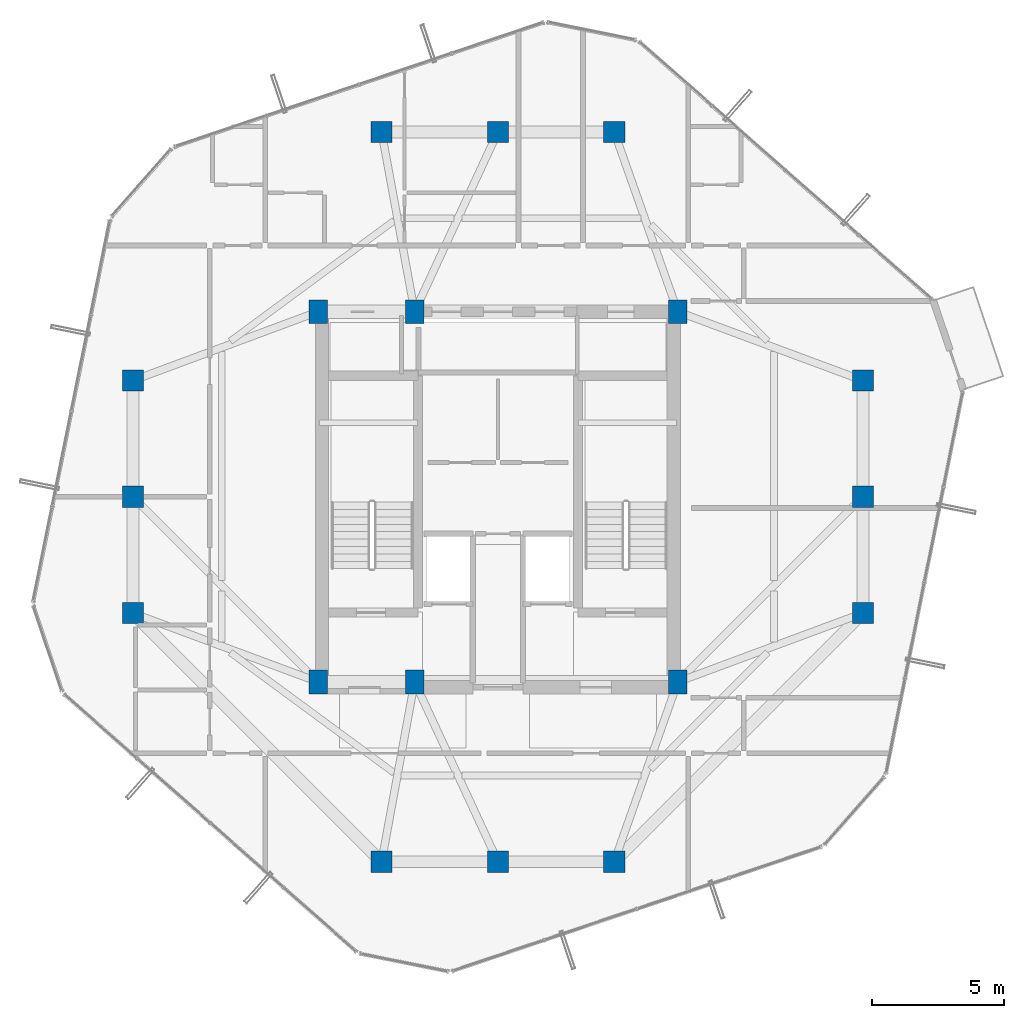
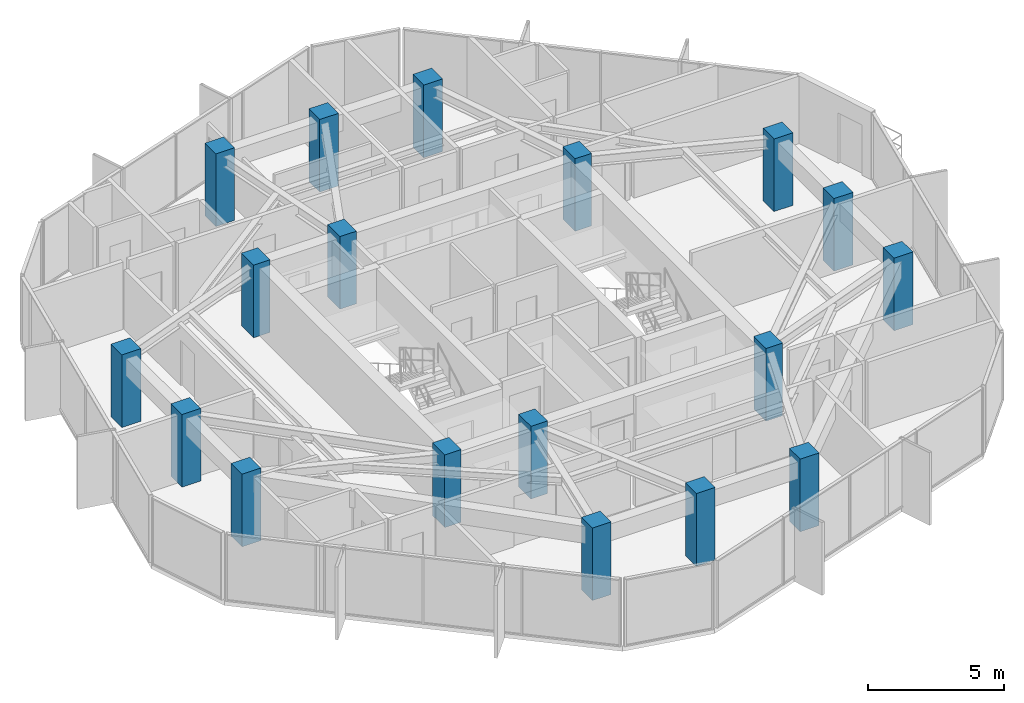
# One storey, part 1 of 28: 18 columns.
"""IFC4 building model written with IfcOpenShell, lengths in metres."""

import ifcopenshell
import ifcopenshell.guid

model = None  # the IFC model being written
_history = None  # IfcOwnerHistory: only IFC2X3 demands one
_inside = {}  # id of a spatial element -> (the spatial element, [elements in it])
_under = {}  # id of a project, library or spatial element -> (it, [spatial elements below it])
_declared = {}  # id of a project -> (the project, [libraries it declares])
_typed = {}  # id of a type object -> (the type object, [elements of that type])
_made_of = {}  # id of a material, layer set ... -> (it, [elements and type objects made of it])


def new_model(schema):
    """Start an empty IFC model of exactly this schema.

    Asked for "IFC4X3", IfcOpenShell would pick the latest addendum, in which some entities
    have other attributes; the version numbers below select the first issue.
    IFC2X3 requires an IfcOwnerHistory on every rooted entity: one is made here for all.
    """
    global model, _history
    if schema == "IFC4X3":
        model = ifcopenshell.file(schema_version=(4, 3, 0, 0))
    else:
        model = ifcopenshell.file(schema=schema)
    _inside.clear()
    _under.clear()
    _declared.clear()
    _typed.clear()
    _made_of.clear()
    _history = None
    if model.schema == "IFC2X3":
        org = make("IfcOrganization", Name="unknown")
        user = make(
            "IfcPersonAndOrganization",
            ThePerson=make("IfcPerson", FamilyName="unknown"),
            TheOrganization=org,
        )
        app = make(
            "IfcApplication",
            ApplicationDeveloper=org,
            Version="unknown",
            ApplicationFullName="unknown",
            ApplicationIdentifier="unknown",
        )
        _history = make(
            "IfcOwnerHistory",
            OwningUser=user,
            OwningApplication=app,
            ChangeAction="ADDED",
            CreationDate=0,
        )
    return model


def make(cls, **values):
    """One entity of the class cls with the attributes given. An attribute that is None is left unset."""
    return model.create_entity(
        cls, **{name: value for name, value in values.items() if value is not None}
    )


def rooted(cls, **values):
    """An entity with a GlobalId (a new one), such as an element, a storey or a relation."""
    return make(cls, GlobalId=ifcopenshell.guid.new(), OwnerHistory=_history, **values)


def si_unit(unit_type, name, prefix=None):
    """IfcSIUnit, for example si_unit("LENGTHUNIT", "METRE", prefix="MILLI")."""
    return make("IfcSIUnit", UnitType=unit_type, Prefix=prefix, Name=name)


def assignment(units):
    """IfcUnitAssignment: the units of a project."""
    return None if units is None else make("IfcUnitAssignment", Units=units)


def point(xyz):
    """IfcCartesianPoint."""
    return None if xyz is None else make("IfcCartesianPoint", Coordinates=xyz)


def direction(xyz):
    """IfcDirection."""
    return None if xyz is None else make("IfcDirection", DirectionRatios=xyz)


def frame(location, z_axis=None, x_axis=None):
    """IfcAxis2Placement3D, a coordinate frame: its origin and axes. An axis left out is left unset."""
    return make(
        "IfcAxis2Placement3D",
        Location=point(location),
        Axis=direction(z_axis),
        RefDirection=direction(x_axis),
    )


def frame_2d(location, x_axis=None):
    """IfcAxis2Placement2D, a coordinate frame in the plane: its origin and x axis."""
    return make(
        "IfcAxis2Placement2D", Location=point(location), RefDirection=direction(x_axis)
    )


def origin():
    """The frame at (0, 0, 0) with its axes left unset."""
    return frame((0.0, 0.0, 0.0))


def origin_2d():
    """The frame at (0, 0) in the plane with its x axis left unset."""
    return frame_2d((0.0, 0.0))


def place(relative_to, where):
    """IfcLocalPlacement: puts the frame where relative to a parent placement (None: the world)."""
    return make(
        "IfcLocalPlacement", PlacementRelTo=relative_to, RelativePlacement=where
    )


def context(
    kind, dimensions, precision=None, world=None, true_north=None, identifier=None
):
    """IfcGeometricRepresentationContext, for example the 3D "Model" context."""
    return make(
        "IfcGeometricRepresentationContext",
        ContextIdentifier=identifier,
        ContextType=kind,
        CoordinateSpaceDimension=dimensions,
        Precision=precision,
        WorldCoordinateSystem=world,
        TrueNorth=true_north,
    )


def subcontext(parent, identifier, kind, view, scale=None):
    """IfcGeometricRepresentationSubContext, for example "Body" below "Model"."""
    return make(
        "IfcGeometricRepresentationSubContext",
        ContextIdentifier=identifier,
        ContextType=kind,
        ParentContext=parent,
        TargetScale=scale,
        TargetView=view,
    )


def project(units=None, contexts=None):
    """IfcProject with its units and contexts."""
    return rooted(
        "IfcProject",
        Name="project",
        RepresentationContexts=contexts,
        UnitsInContext=assignment(units),
    )


def spatial(cls, under=None, at=None, **own):
    """A site, building, storey or space (cls), placed at a placement, below another one or the project."""
    s = rooted(cls, ObjectPlacement=at, **own)
    if under is not None:
        _under.setdefault(under.id(), (under, []))[1].append(s)
    return s


def profile(cls, at=None, kind="AREA", **sizes):
    """A parametric profile (cls). Its sizes go by their IFC names, for example OverallWidth=200.0."""
    return make(cls, ProfileType=kind, Position=at, **sizes)


def rectangle(**sizes):
    """IfcRectangleProfileDef."""
    return profile("IfcRectangleProfileDef", **sizes)


def extrude(swept, where, along, depth):
    """IfcExtrudedAreaSolid: the profile swept, set in the frame where, extruded along a direction by depth."""
    return make(
        "IfcExtrudedAreaSolid",
        SweptArea=swept,
        Position=where,
        ExtrudedDirection=direction(along),
        Depth=depth,
    )


def shape(context_of_items, identifier, shape_type, items):
    """IfcShapeRepresentation: the items that make up one representation, for example the "Body"."""
    return make(
        "IfcShapeRepresentation",
        ContextOfItems=context_of_items,
        RepresentationIdentifier=identifier,
        RepresentationType=shape_type,
        Items=items,
    )


def material(Name=None, Category=None):
    """IfcMaterial."""
    return make("IfcMaterial", Name=Name, Category=Category)


def material_profile(
    of_material, cross_section, Name=None, Category=None, Priority=None
):
    """IfcMaterialProfile: a cross section and its material."""
    return make(
        "IfcMaterialProfile",
        Name=Name,
        Material=of_material,
        Profile=cross_section,
        Priority=Priority,
        Category=Category,
    )


def profile_set(profiles, Name=None, composite=None):
    """IfcMaterialProfileSet."""
    return make(
        "IfcMaterialProfileSet",
        Name=Name,
        MaterialProfiles=profiles,
        CompositeProfile=composite,
    )


def made_of(thing, what):
    """Note that an element or type object is made of a material, layer set ...; save() writes the relation."""
    if what is not None:
        _made_of.setdefault(what.id(), (what, []))[1].append(thing)
    return thing


def type_object(cls, material=None, **own):
    """A type object (cls), such as IfcWallType, which elements share."""
    return made_of(rooted(cls, **own), material)


def element(
    cls,
    number,
    at=None,
    inside=None,
    cuts=None,
    type_object=None,
    material=None,
    context=None,
    identifier="Body",
    shape_type=None,
    held_by="IfcProductDefinitionShape",
    body=None,
    shapes=None,
    **own,
):
    """One element of the class cls, such as IfcWall. Its Tag is "e" and its number.

    at: its placement. inside: the storey or other place that contains it. cuts: it is an
    opening in that element (IfcRelVoidsElement). A single representation is given by context,
    identifier, shape_type and body (its items); several are given by shapes. held_by: the class
    of the entity that holds the representations. save() writes the other relations.
    """
    e = rooted(cls, Tag="e%d" % number, ObjectPlacement=at, **own)
    if body is not None:
        shapes = [shape(context, identifier, shape_type, body)]
    if shapes is not None:
        e.Representation = make(held_by, Representations=shapes)
    if inside is not None:
        _inside.setdefault(inside.id(), (inside, []))[1].append(e)
    if cuts is not None:
        rooted(
            "IfcRelVoidsElement", RelatingBuildingElement=cuts, RelatedOpeningElement=e
        )
    if type_object is not None:
        _typed.setdefault(type_object.id(), (type_object, []))[1].append(e)
    return made_of(e, material)


def aggregate(whole, parts):
    """IfcRelAggregates: a whole, such as a stair, and the parts it consists of."""
    return rooted("IfcRelAggregates", RelatingObject=whole, RelatedObjects=parts)


def save(model, path):
    """Write the relations noted so far, then the file.

    IfcRelAggregates (storeys below a building ...), IfcRelContainedInSpatialStructure (elements
    in a storey), IfcRelDefinesByType, IfcRelAssociatesMaterial and IfcRelDeclares: one each for
    every whole, place, type object, material and project.
    """
    for whole, parts in _under.values():
        aggregate(whole, parts)
    for where, things in _inside.values():
        rooted(
            "IfcRelContainedInSpatialStructure",
            RelatedElements=things,
            RelatingStructure=where,
        )
    for kind, things in _typed.values():
        rooted("IfcRelDefinesByType", RelatedObjects=things, RelatingType=kind)
    for what, things in _made_of.values():
        rooted("IfcRelAssociatesMaterial", RelatedObjects=things, RelatingMaterial=what)
    for by, libraries in _declared.values():
        rooted("IfcRelDeclares", RelatingContext=by, RelatedDefinitions=libraries)
    model.write(path)


model = new_model("IFC4")

# Units and contexts
model_context = context("Model", 3, precision=1e-05, world=origin(), true_north=direction((0.0, 1.0)))
body_context = subcontext(model_context, "Body", "Model", "MODEL_VIEW")
ifc_project = project(units=[si_unit("LENGTHUNIT", "METRE"), si_unit("AREAUNIT", "SQUARE_METRE"), si_unit("VOLUMEUNIT", "CUBIC_METRE"), si_unit("PLANEANGLEUNIT", "RADIAN"), si_unit("MASSUNIT", "GRAM", prefix="KILO")], contexts=[model_context])

# Site, building, storey
site_placement = place(None, origin())
site = spatial("IfcSite", under=ifc_project, at=site_placement, CompositionType="ELEMENT")
building_placement = place(site_placement, origin())
building = spatial("IfcBuilding", under=site, at=building_placement, Name="Veraguas Prism Commons", CompositionType="ELEMENT")
storey_placement = place(building_placement, frame((0.0, 0.0, 248.0)))
storey = spatial("IfcBuildingStorey", under=building, at=storey_placement, Name="L70", CompositionType="ELEMENT", Elevation=248.0)

# Columns
ifc_material = material(Name="Concrete C50/60", Category="concrete")
ifc_material_profile_1 = material_profile(ifc_material, rectangle(XDim=0.800048828125, YDim=0.800048828125, at=origin_2d()), Name="RC800X800")
ifc_profile_set_1 = profile_set([ifc_material_profile_1], Name="Concrete C50/60")
column_type_1 = type_object("IfcColumnType", Name="Column Tube Z4 RC 800x800", PredefinedType="COLUMN", material=ifc_profile_set_1)
for number, where, z_axis, x_axis, name in (
    (1, (37.800048828125, 19.60009765625, 0.0), (0.0, 0.0, 1.0), (1.0, 0.0, 0.0), "Tower Perimeter Column L70-TB01"),
    (2, (37.800048828125, 24.0, 0.0), (0.0, 0.0, 1.0), (1.0, 0.0, 0.0), "Tower Perimeter Column L70-TB02"),
    (3, (37.800048828125, 28.39990234375, 0.0), (0.0, 0.0, 1.0), (1.0, 0.0, 0.0), "Tower Perimeter Column L70-TB03"),
    (4, (28.39990234375, 37.800048828125, 0.0), (0.0, 0.0, 1.0), (1.0, 0.0, 0.0), "Tower Perimeter Column L70-TB04"),
    (5, (24.0, 37.800048828125, 0.0), (0.0, 0.0, 1.0), (1.0, 0.0, 0.0), "Tower Perimeter Column L70-TB05"),
    (6, (19.60009765625, 37.800048828125, 0.0), (0.0, 0.0, 1.0), (1.0, 0.0, 0.0), "Tower Perimeter Column L70-TB06"),
    (7, (10.199951171875, 28.39990234375, 0.0), (0.0, 0.0, 1.0), (1.0, 0.0, 0.0), "Tower Perimeter Column L70-TB07"),
    (8, (10.199951171875, 24.0, 0.0), (0.0, 0.0, 1.0), (1.0, 0.0, 0.0), "Tower Perimeter Column L70-TB08"),
    (9, (10.199951171875, 19.60009765625, 0.0), (0.0, 0.0, 1.0), (1.0, 0.0, 0.0), "Tower Perimeter Column L70-TB09"),
    (10, (19.60009765625, 10.199951171875, 0.0), (0.0, 0.0, 1.0), (1.0, 0.0, 0.0), "Tower Perimeter Column L70-TB10"),
    (11, (24.0, 10.199951171875, 0.0), (0.0, 0.0, 1.0), (1.0, 0.0, 0.0), "Tower Perimeter Column L70-TB11"),
    (12, (28.39990234375, 10.199951171875, 0.0), (0.0, 0.0, 1.0), (1.0, 0.0, 0.0), "Tower Perimeter Column L70-TB12"),
):
    element("IfcColumn", number, at=place(storey_placement, frame(where, z_axis=z_axis, x_axis=x_axis)), inside=storey, type_object=column_type_1, Name=name, PredefinedType="COLUMN", context=body_context, shape_type="SweptSolid", body=[
        extrude(rectangle(XDim=0.800048828125, YDim=0.800048828125, at=origin_2d()), origin(), (0.0, 0.0, 1.0), 3.25),
    ])
ifc_material_profile_2 = material_profile(ifc_material, rectangle(XDim=0.699951171875, YDim=0.89990234375, at=origin_2d()), Name="RC700X900")
ifc_profile_set_2 = profile_set([ifc_material_profile_2], Name="Concrete C50/60")
column_type_2 = type_object("IfcColumnType", Name="Pilaster Core Upper RC 700x900", PredefinedType="PILASTER", material=ifc_profile_set_2)
for number, where, z_axis, x_axis, name in (
    (13, (17.199951171875, 17.0, 0.0), (0.0, 0.0, 1.0), (1.0, 0.0, 0.0), "Core Pilaster Column L70-CR1"),
    (14, (20.85009765625, 17.0, 0.0), (0.0, 0.0, 1.0), (1.0, 0.0, 0.0), "Core Pilaster Column L70-CR2"),
    (15, (30.800048828125, 17.0, 0.0), (0.0, 0.0, 1.0), (1.0, 0.0, 0.0), "Core Pilaster Column L70-CR3"),
    (16, (17.199951171875, 31.0, 0.0), (0.0, 0.0, 1.0), (1.0, 0.0, 0.0), "Core Pilaster Column L70-CR4"),
    (17, (20.85009765625, 31.0, 0.0), (0.0, 0.0, 1.0), (1.0, 0.0, 0.0), "Core Pilaster Column L70-CR5"),
    (18, (30.800048828125, 31.0, 0.0), (0.0, 0.0, 1.0), (1.0, 0.0, 0.0), "Core Pilaster Column L70-CR6"),
):
    element("IfcColumn", number, at=place(storey_placement, frame(where, z_axis=z_axis, x_axis=x_axis)), inside=storey, type_object=column_type_2, Name=name, PredefinedType="PILASTER", context=body_context, shape_type="SweptSolid", body=[
        extrude(rectangle(XDim=0.699951171875, YDim=0.89990234375, at=origin_2d()), origin(), (0.0, 0.0, 1.0), 3.25),
    ])

save(model, "model.ifc")
